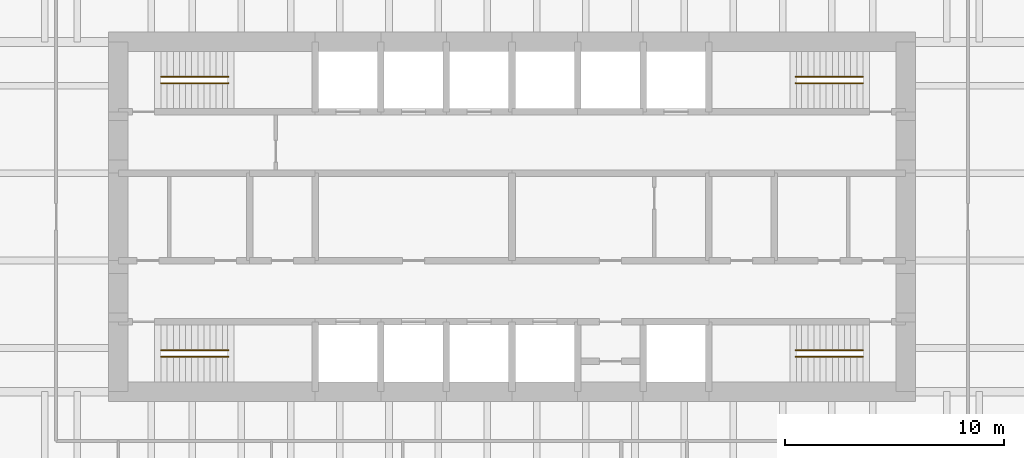
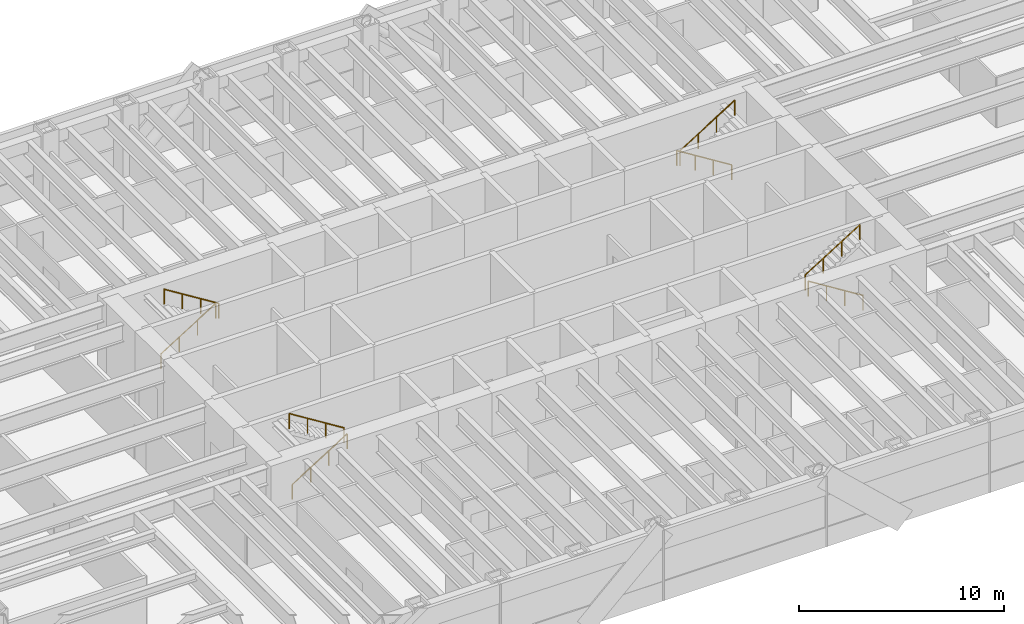
# One storey, part 16 of 16: 8 railings.
"""IFC4 building model written with IfcOpenShell, lengths in metres."""

from ifc_helpers import new_model, si_unit, direction, frame, origin, origin_2d, place, context, subcontext, project, spatial, circle, extrude, material, type_object, element, save


model = new_model("IFC4")

# Units and contexts
model_context = context("Model", 3, precision=1e-05, world=origin(), true_north=direction((0.0, 1.0)))
body_context = subcontext(model_context, "Body", "Model", "MODEL_VIEW")
ifc_project = project(units=[si_unit("LENGTHUNIT", "METRE"), si_unit("AREAUNIT", "SQUARE_METRE"), si_unit("VOLUMEUNIT", "CUBIC_METRE"), si_unit("PLANEANGLEUNIT", "RADIAN"), si_unit("MASSUNIT", "GRAM", prefix="KILO")], contexts=[model_context])

# Site, building, storey
site_placement = place(None, origin())
site = spatial("IfcSite", under=ifc_project, at=site_placement, CompositionType="ELEMENT")
building_placement = place(site_placement, origin())
building = spatial("IfcBuilding", under=site, at=building_placement, Name="Rheinbord Bourse Tower", CompositionType="ELEMENT")
storey_placement = place(building_placement, frame((0.0, 0.0, 176.10009765625)))
storey = spatial("IfcBuildingStorey", under=building, at=storey_placement, Name="L39", CompositionType="ELEMENT", Elevation=176.10009765625)

# Railings
ifc_material = material(Name="Steel handrail", Category="steel")
railing_type = type_object("IfcRailingType", Name="HANDRAIL 900", PredefinedType="HANDRAIL", material=ifc_material)
railing_1_placement = place(storey_placement, frame((19.949951171875, 17.60009765625, 0.1748046875)))
element("IfcRailing", 1, at=railing_1_placement, inside=storey, type_object=railing_type, Name="Handrail", PredefinedType="HANDRAIL", context=body_context, shape_type="SweptSolid", body=[
    extrude(circle(Radius=0.02392578125, at=origin_2d()), frame((0.0, 0.0, 0.8759765625), z_axis=(0.847998304005, 0.0, 0.529998940003), x_axis=(0.0, 1.0, 0.0)), (0.0, 0.0, 1.0), 3.632080078125),
    extrude(circle(Radius=0.02099609375, at=origin_2d()), origin(), (0.0, 0.0, 1.0), 0.851806640625),
    extrude(circle(Radius=0.02099609375, at=origin_2d()), frame((1.026611328125, 0.0, 0.6416015625)), (0.0, 0.0, 1.0), 0.851806640625),
    extrude(circle(Radius=0.02099609375, at=origin_2d()), frame((2.053466796875, 0.0, 1.283447265625)), (0.0, 0.0, 1.0), 0.851806640625),
    extrude(circle(Radius=0.02099609375, at=origin_2d()), frame((3.080078125, 0.0, 1.925048828125)), (0.0, 0.0, 1.0), 0.851806640625),
])
railing_2_placement = place(storey_placement, frame((23.030029296875, 17.89990234375, 2.27490234375)))
element("IfcRailing", 2, at=railing_2_placement, inside=storey, type_object=railing_type, Name="Handrail", PredefinedType="HANDRAIL", context=body_context, shape_type="SweptSolid", body=[
    extrude(circle(Radius=0.02392578125, at=origin_2d()), frame((0.0, 0.0, 0.8759765625), z_axis=(-0.847998304005, 0.0, 0.529998940003), x_axis=(0.0, -1.0, 0.0)), (0.0, 0.0, 1.0), 3.632080078125),
    extrude(circle(Radius=0.02099609375, at=origin_2d()), origin(), (0.0, 0.0, 1.0), 0.851806640625),
    extrude(circle(Radius=0.02099609375, at=origin_2d()), frame((-1.026611328125, 0.0, 0.6416015625)), (0.0, 0.0, 1.0), 0.851806640625),
    extrude(circle(Radius=0.02099609375, at=origin_2d()), frame((-2.053466796875, 0.0, 1.283447265625)), (0.0, 0.0, 1.0), 0.851806640625),
    extrude(circle(Radius=0.02099609375, at=origin_2d()), frame((-3.080078125, 0.0, 1.925048828125)), (0.0, 0.0, 1.0), 0.851806640625),
])
railing_3_placement = place(storey_placement, frame((19.949951171875, 30.39990234375, 0.1748046875)))
element("IfcRailing", 3, at=railing_3_placement, inside=storey, type_object=railing_type, Name="Handrail", PredefinedType="HANDRAIL", context=body_context, shape_type="SweptSolid", body=[
    extrude(circle(Radius=0.02392578125, at=origin_2d()), frame((0.0, 0.0, 0.8759765625), z_axis=(0.847998304005, 0.0, 0.529998940003), x_axis=(0.0, 1.0, 0.0)), (0.0, 0.0, 1.0), 3.632080078125),
    extrude(circle(Radius=0.02099609375, at=origin_2d()), origin(), (0.0, 0.0, 1.0), 0.851806640625),
    extrude(circle(Radius=0.02099609375, at=origin_2d()), frame((1.026611328125, 0.0, 0.6416015625)), (0.0, 0.0, 1.0), 0.851806640625),
    extrude(circle(Radius=0.02099609375, at=origin_2d()), frame((2.053466796875, 0.0, 1.283447265625)), (0.0, 0.0, 1.0), 0.851806640625),
    extrude(circle(Radius=0.02099609375, at=origin_2d()), frame((3.080078125, 0.0, 1.925048828125)), (0.0, 0.0, 1.0), 0.851806640625),
])
for number, where, name in (
    (4, (23.030029296875, 30.10009765625, 2.27490234375), "Handrail"),
    (5, (52.050048828125, 17.60009765625, 0.1748046875), "Handrail"),
):
    element("IfcRailing", number, at=place(storey_placement, frame(where)), inside=storey, type_object=railing_type, Name=name, PredefinedType="HANDRAIL", context=body_context, shape_type="SweptSolid", body=[
        extrude(circle(Radius=0.02392578125, at=origin_2d()), frame((0.0, 0.0, 0.8759765625), z_axis=(-0.847998304005, 0.0, 0.529998940003), x_axis=(0.0, -1.0, 0.0)), (0.0, 0.0, 1.0), 3.632080078125),
        extrude(circle(Radius=0.02099609375, at=origin_2d()), origin(), (0.0, 0.0, 1.0), 0.851806640625),
        extrude(circle(Radius=0.02099609375, at=origin_2d()), frame((-1.026611328125, 0.0, 0.6416015625)), (0.0, 0.0, 1.0), 0.851806640625),
        extrude(circle(Radius=0.02099609375, at=origin_2d()), frame((-2.053466796875, 0.0, 1.283447265625)), (0.0, 0.0, 1.0), 0.851806640625),
        extrude(circle(Radius=0.02099609375, at=origin_2d()), frame((-3.080078125, 0.0, 1.925048828125)), (0.0, 0.0, 1.0), 0.851806640625),
    ])
railing_4_placement = place(storey_placement, frame((48.969970703125, 17.89990234375, 2.27490234375)))
element("IfcRailing", 6, at=railing_4_placement, inside=storey, type_object=railing_type, Name="Handrail", PredefinedType="HANDRAIL", context=body_context, shape_type="SweptSolid", body=[
    extrude(circle(Radius=0.02392578125, at=origin_2d()), frame((0.0, 0.0, 0.8759765625), z_axis=(0.847998304005, 0.0, 0.529998940003), x_axis=(0.0, 1.0, 0.0)), (0.0, 0.0, 1.0), 3.632080078125),
    extrude(circle(Radius=0.02099609375, at=origin_2d()), origin(), (0.0, 0.0, 1.0), 0.851806640625),
    extrude(circle(Radius=0.02099609375, at=origin_2d()), frame((1.026611328125, 0.0, 0.6416015625)), (0.0, 0.0, 1.0), 0.851806640625),
    extrude(circle(Radius=0.02099609375, at=origin_2d()), frame((2.053466796875, 0.0, 1.283447265625)), (0.0, 0.0, 1.0), 0.851806640625),
    extrude(circle(Radius=0.02099609375, at=origin_2d()), frame((3.080078125, 0.0, 1.925048828125)), (0.0, 0.0, 1.0), 0.851806640625),
])
railing_5_placement = place(storey_placement, frame((52.050048828125, 30.39990234375, 0.1748046875)))
element("IfcRailing", 7, at=railing_5_placement, inside=storey, type_object=railing_type, Name="Handrail", PredefinedType="HANDRAIL", context=body_context, shape_type="SweptSolid", body=[
    extrude(circle(Radius=0.02392578125, at=origin_2d()), frame((0.0, 0.0, 0.8759765625), z_axis=(-0.847998304005, 0.0, 0.529998940003), x_axis=(0.0, -1.0, 0.0)), (0.0, 0.0, 1.0), 3.632080078125),
    extrude(circle(Radius=0.02099609375, at=origin_2d()), origin(), (0.0, 0.0, 1.0), 0.851806640625),
    extrude(circle(Radius=0.02099609375, at=origin_2d()), frame((-1.026611328125, 0.0, 0.6416015625)), (0.0, 0.0, 1.0), 0.851806640625),
    extrude(circle(Radius=0.02099609375, at=origin_2d()), frame((-2.053466796875, 0.0, 1.283447265625)), (0.0, 0.0, 1.0), 0.851806640625),
    extrude(circle(Radius=0.02099609375, at=origin_2d()), frame((-3.080078125, 0.0, 1.925048828125)), (0.0, 0.0, 1.0), 0.851806640625),
])
railing_6_placement = place(storey_placement, frame((48.969970703125, 30.10009765625, 2.27490234375)))
element("IfcRailing", 8, at=railing_6_placement, inside=storey, type_object=railing_type, Name="Handrail", PredefinedType="HANDRAIL", context=body_context, shape_type="SweptSolid", body=[
    extrude(circle(Radius=0.02392578125, at=origin_2d()), frame((0.0, 0.0, 0.8759765625), z_axis=(0.847998304005, 0.0, 0.529998940003), x_axis=(0.0, 1.0, 0.0)), (0.0, 0.0, 1.0), 3.632080078125),
    extrude(circle(Radius=0.02099609375, at=origin_2d()), origin(), (0.0, 0.0, 1.0), 0.851806640625),
    extrude(circle(Radius=0.02099609375, at=origin_2d()), frame((1.026611328125, 0.0, 0.6416015625)), (0.0, 0.0, 1.0), 0.851806640625),
    extrude(circle(Radius=0.02099609375, at=origin_2d()), frame((2.053466796875, 0.0, 1.283447265625)), (0.0, 0.0, 1.0), 0.851806640625),
    extrude(circle(Radius=0.02099609375, at=origin_2d()), frame((3.080078125, 0.0, 1.925048828125)), (0.0, 0.0, 1.0), 0.851806640625),
])

save(model, "model.ifc")
